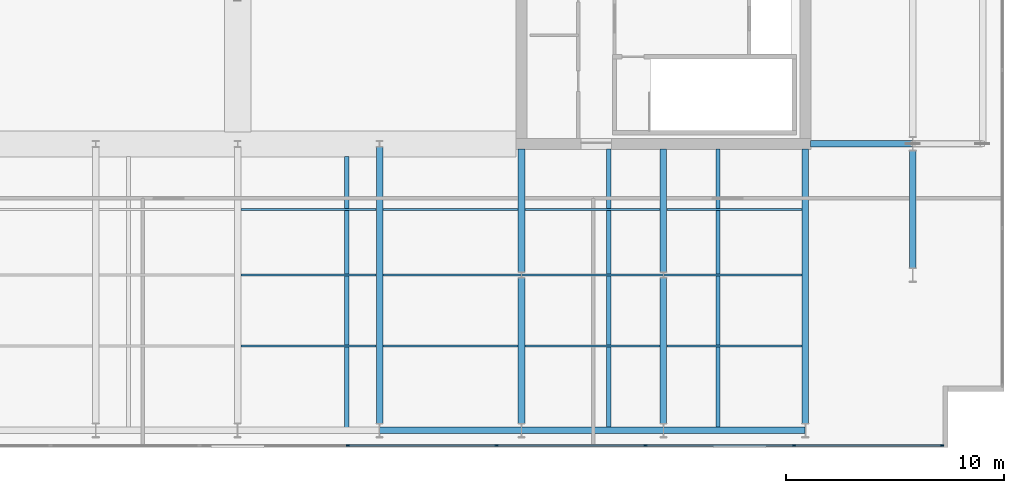
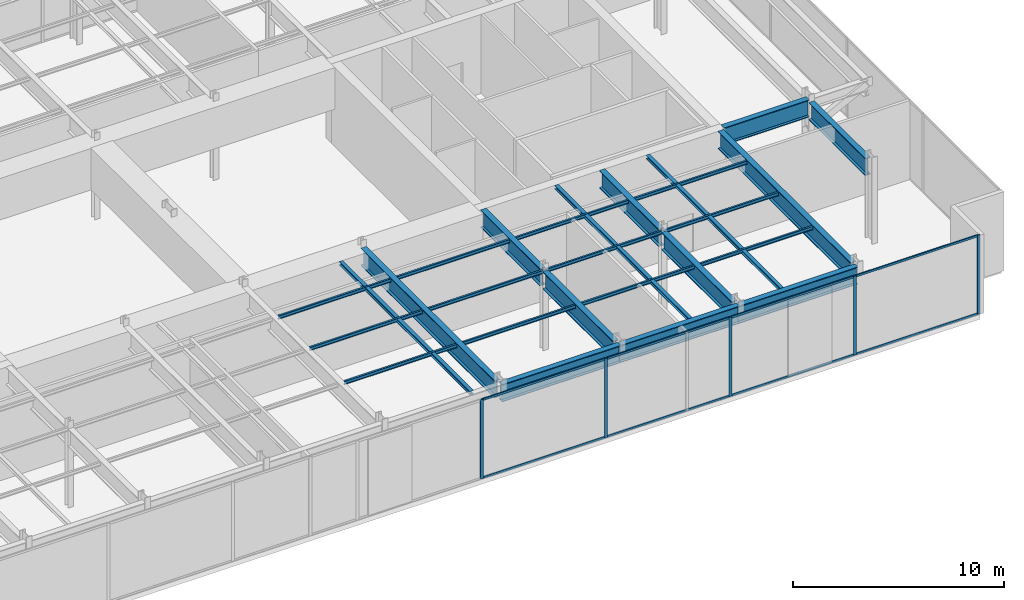
# One storey, part 9 of 21: 23 beams, 16 members, 1 element without a shape of its own.
"""IFC4 building model written with IfcOpenShell, lengths in metres."""

from ifc_helpers import new_model, si_unit, direction, frame, origin, origin_2d, place, context, subcontext, project, spatial, rectangle, i_section, extrude, material, layer, layer_set, material_profile, profile_set, type_object, element, aggregate, save


model = new_model("IFC4")

# Units and contexts
model_context = context("Model", 3, precision=1e-05, world=origin(), true_north=direction((0.0, 1.0)))
body_context = subcontext(model_context, "Body", "Model", "MODEL_VIEW")
ifc_project = project(units=[si_unit("LENGTHUNIT", "METRE"), si_unit("AREAUNIT", "SQUARE_METRE"), si_unit("VOLUMEUNIT", "CUBIC_METRE"), si_unit("PLANEANGLEUNIT", "RADIAN"), si_unit("MASSUNIT", "GRAM", prefix="KILO")], contexts=[model_context])

# Site, building, storey
site_placement = place(None, origin())
site = spatial("IfcSite", under=ifc_project, at=site_placement, CompositionType="ELEMENT")
building_placement = place(site_placement, origin())
building = spatial("IfcBuilding", under=site, at=building_placement, Name="Putna Gate Headquarters", CompositionType="ELEMENT")
storey_placement = place(building_placement, frame((0.0, 0.0, 315.39990234375)))
storey = spatial("IfcBuildingStorey", under=building, at=storey_placement, Name="L79", CompositionType="ELEMENT", Elevation=315.39990234375)

# Beams
ifc_material_1 = material(Name="Steel S355J2", Category="steel")
ifc_material_profile_1 = material_profile(ifc_material_1, i_section(OverallWidth=0.10009765625, OverallDepth=0.199951171875, WebThickness=0.005615234375, FlangeThickness=0.008544921875, at=origin_2d()), Name="Steel S355J2")
ifc_profile_set_1 = profile_set([ifc_material_profile_1], Name="Steel S355J2")
beam_type_1 = type_object("IfcBeamType", Name="BM-SEC-PLT-IPE200", PredefinedType="JOIST", material=ifc_profile_set_1)
for number, where, z_axis, x_axis, name in (
    (1, (39.155029296875, 9.75, 4.47998046875), (1.0, 0.0, 0.0), (0.0, 1.0, 0.0), "L79 South Secondary Beam 5"),
    (2, (39.155029296875, 13.0, 4.47998046875), (1.0, 0.0, 0.0), (0.0, 1.0, 0.0), "L79 South Secondary Beam 5"),
    (3, (39.155029296875, 16.0, 4.47998046875), (1.0, 0.0, 0.0), (0.0, 1.0, 0.0), "L79 South Secondary Beam 5"),
    (4, (45.655029296875, 9.75, 4.47998046875), (1.0, 0.0, 0.0), (0.0, 1.0, 0.0), "L79 South Secondary Beam 6"),
):
    element("IfcBeam", number, at=place(storey_placement, frame(where, z_axis=z_axis, x_axis=x_axis)), inside=storey, type_object=beam_type_1, Name=name, PredefinedType="JOIST", context=body_context, shape_type="SweptSolid", body=[
        extrude(i_section(OverallWidth=0.10009765625, OverallDepth=0.199951171875, WebThickness=0.005615234375, FlangeThickness=0.008544921875, at=origin_2d()), origin(), (0.0, 0.0, 1.0), 6.18994140625),
    ])
beam_1_placement = place(storey_placement, frame((45.655029296875, 13.0, 4.47998046875), z_axis=(1.0, 0.0, 0.0), x_axis=(0.0, 1.0, 0.0)))
element("IfcBeam", 5, at=beam_1_placement, inside=storey, type_object=beam_type_1, Name="L79 South Secondary Beam 6", PredefinedType="JOIST", context=body_context, shape_type="SweptSolid", body=[
    extrude(i_section(OverallWidth=0.10009765625, OverallDepth=0.199951171875, WebThickness=0.005615234375, FlangeThickness=0.008544921875, at=origin_2d()), origin(), (0.0, 0.0, 1.0), 6.3388671875),
])
for number, where, z_axis, x_axis, name in (
    (6, (45.655029296875, 16.0, 4.47998046875), (1.0, 0.0, 0.0), (0.0, 1.0, 0.0), "L79 South Secondary Beam 6"),
    (7, (52.155029296875, 9.75, 4.47998046875), (1.0, 0.0, 0.0), (0.0, 1.0, 0.0), "L79 South Secondary Beam 7"),
):
    element("IfcBeam", number, at=place(storey_placement, frame(where, z_axis=z_axis, x_axis=x_axis)), inside=storey, type_object=beam_type_1, Name=name, PredefinedType="JOIST", context=body_context, shape_type="SweptSolid", body=[
        extrude(i_section(OverallWidth=0.10009765625, OverallDepth=0.199951171875, WebThickness=0.005615234375, FlangeThickness=0.008544921875, at=origin_2d()), origin(), (0.0, 0.0, 1.0), 6.18994140625),
    ])
beam_2_placement = place(storey_placement, frame((52.006103515625, 13.0, 4.47998046875), z_axis=(1.0, 0.0, 0.0), x_axis=(0.0, 1.0, 0.0)))
element("IfcBeam", 8, at=beam_2_placement, inside=storey, type_object=beam_type_1, Name="L79 South Secondary Beam 7", PredefinedType="JOIST", context=body_context, shape_type="SweptSolid", body=[
    extrude(i_section(OverallWidth=0.10009765625, OverallDepth=0.199951171875, WebThickness=0.005615234375, FlangeThickness=0.008544921875, at=origin_2d()), origin(), (0.0, 0.0, 1.0), 6.48779296875),
])
for number, where, z_axis, x_axis, name in (
    (9, (52.155029296875, 16.0, 4.47998046875), (1.0, 0.0, 0.0), (0.0, 1.0, 0.0), "L79 South Secondary Beam 7"),
    (10, (58.655029296875, 9.75, 4.47998046875), (1.0, 0.0, 0.0), (0.0, 1.0, 0.0), "L79 South Secondary Beam 8"),
):
    element("IfcBeam", number, at=place(storey_placement, frame(where, z_axis=z_axis, x_axis=x_axis)), inside=storey, type_object=beam_type_1, Name=name, PredefinedType="JOIST", context=body_context, shape_type="SweptSolid", body=[
        extrude(i_section(OverallWidth=0.10009765625, OverallDepth=0.199951171875, WebThickness=0.005615234375, FlangeThickness=0.008544921875, at=origin_2d()), origin(), (0.0, 0.0, 1.0), 6.18994140625),
    ])
beam_3_placement = place(storey_placement, frame((58.506103515625, 13.0, 4.47998046875), z_axis=(1.0, 0.0, 0.0), x_axis=(0.0, 1.0, 0.0)))
element("IfcBeam", 11, at=beam_3_placement, inside=storey, type_object=beam_type_1, Name="L79 South Secondary Beam 8", PredefinedType="JOIST", context=body_context, shape_type="SweptSolid", body=[
    extrude(i_section(OverallWidth=0.10009765625, OverallDepth=0.199951171875, WebThickness=0.005615234375, FlangeThickness=0.008544921875, at=origin_2d()), origin(), (0.0, 0.0, 1.0), 6.3388671875),
])
beam_4_placement = place(storey_placement, frame((58.655029296875, 16.0, 4.47998046875), z_axis=(1.0, 0.0, 0.0), x_axis=(0.0, 1.0, 0.0)))
element("IfcBeam", 12, at=beam_4_placement, inside=storey, type_object=beam_type_1, Name="L79 South Secondary Beam 8", PredefinedType="JOIST", context=body_context, shape_type="SweptSolid", body=[
    extrude(i_section(OverallWidth=0.10009765625, OverallDepth=0.199951171875, WebThickness=0.005615234375, FlangeThickness=0.008544921875, at=origin_2d()), origin(), (0.0, 0.0, 1.0), 6.18994140625),
])
ifc_material_2 = material(Name="Steel S460M", Category="steel")
ifc_material_profile_2 = material_profile(ifc_material_2, i_section(OverallWidth=0.302001953125, OverallDepth=1.008056640625, WebThickness=0.02099609375, FlangeThickness=0.0400390625, at=origin_2d()), Name="Steel S460M")
ifc_profile_set_2 = profile_set([ifc_material_profile_2], Name="Steel S460M")
beam_type_2 = type_object("IfcBeamType", Name="BM-TG-HEM1000", PredefinedType="USERDEFINED", material=ifc_profile_set_2)
beam_5_placement = place(storey_placement, frame((65.235107421875, 19.0, 4.076171875), z_axis=(1.0, 0.0, 0.0), x_axis=(0.0, 1.0, 0.0)))
element("IfcBeam", 13, at=beam_5_placement, inside=storey, type_object=beam_type_2, Name="L79 East Wing Girder Y19", ObjectType="GIRDER", PredefinedType="USERDEFINED", context=body_context, shape_type="SweptSolid", body=[
    extrude(i_section(OverallWidth=0.302001953125, OverallDepth=1.008056640625, WebThickness=0.02099609375, FlangeThickness=0.0400390625, at=origin_2d()), origin(), (0.0, 0.0, 1.0), 4.678955078125),
])
beam_6_placement = place(storey_placement, frame((45.5, 6.201904296875, 4.076171875), z_axis=(0.0, 1.0, 0.0), x_axis=(-1.0, 0.0, 0.0)))
element("IfcBeam", 14, at=beam_6_placement, inside=storey, type_object=beam_type_2, Name="L79 South Primary Girder X45", ObjectType="GIRDER", PredefinedType="USERDEFINED", context=body_context, shape_type="SweptSolid", body=[
    extrude(i_section(OverallWidth=0.302001953125, OverallDepth=1.008056640625, WebThickness=0.02099609375, FlangeThickness=0.0400390625, at=origin_2d()), origin(), (0.0, 0.0, 1.0), 12.66015625),
])
beam_7_placement = place(storey_placement, frame((52.0, 6.201904296875, 4.076171875), z_axis=(0.0, 1.0, 0.0), x_axis=(-1.0, 0.0, 0.0)))
element("IfcBeam", 15, at=beam_7_placement, inside=storey, type_object=beam_type_2, Name="L79 South Primary Girder X52-1", ObjectType="GIRDER", PredefinedType="USERDEFINED", context=body_context, shape_type="SweptSolid", body=[
    extrude(i_section(OverallWidth=0.302001953125, OverallDepth=1.008056640625, WebThickness=0.02099609375, FlangeThickness=0.0400390625, at=origin_2d()), origin(), (0.0, 0.0, 1.0), 6.66015625),
])
beam_8_placement = place(storey_placement, frame((52.0, 13.137939453125, 4.076171875), z_axis=(0.0, 1.0, 0.0), x_axis=(-1.0, 0.0, 0.0)))
element("IfcBeam", 16, at=beam_8_placement, inside=storey, type_object=beam_type_2, Name="L79 South Primary Girder X52-2", ObjectType="GIRDER", PredefinedType="USERDEFINED", context=body_context, shape_type="SweptSolid", body=[
    extrude(i_section(OverallWidth=0.302001953125, OverallDepth=1.008056640625, WebThickness=0.02099609375, FlangeThickness=0.0400390625, at=origin_2d()), origin(), (0.0, 0.0, 1.0), 5.626953125),
])
beam_9_placement = place(storey_placement, frame((58.5, 6.201904296875, 4.076171875), z_axis=(0.0, 1.0, 0.0), x_axis=(-1.0, 0.0, 0.0)))
element("IfcBeam", 17, at=beam_9_placement, inside=storey, type_object=beam_type_2, Name="L79 South Primary Girder X58-1", ObjectType="GIRDER", PredefinedType="USERDEFINED", context=body_context, shape_type="SweptSolid", body=[
    extrude(i_section(OverallWidth=0.302001953125, OverallDepth=1.008056640625, WebThickness=0.02099609375, FlangeThickness=0.0400390625, at=origin_2d()), origin(), (0.0, 0.0, 1.0), 6.66015625),
])
beam_10_placement = place(storey_placement, frame((58.5, 13.137939453125, 4.076171875), z_axis=(0.0, 1.0, 0.0), x_axis=(-1.0, 0.0, 0.0)))
element("IfcBeam", 18, at=beam_10_placement, inside=storey, type_object=beam_type_2, Name="L79 South Primary Girder X58-2", ObjectType="GIRDER", PredefinedType="USERDEFINED", context=body_context, shape_type="SweptSolid", body=[
    extrude(i_section(OverallWidth=0.302001953125, OverallDepth=1.008056640625, WebThickness=0.02099609375, FlangeThickness=0.0400390625, at=origin_2d()), origin(), (0.0, 0.0, 1.0), 5.626953125),
])
beam_11_placement = place(storey_placement, frame((65.0, 6.201904296875, 4.076171875), z_axis=(0.0, 1.0, 0.0), x_axis=(-1.0, 0.0, 0.0)))
element("IfcBeam", 19, at=beam_11_placement, inside=storey, type_object=beam_type_2, Name="L79 South Primary Girder X65", ObjectType="GIRDER", PredefinedType="USERDEFINED", context=body_context, shape_type="SweptSolid", body=[
    extrude(i_section(OverallWidth=0.302001953125, OverallDepth=1.008056640625, WebThickness=0.02099609375, FlangeThickness=0.0400390625, at=origin_2d()), origin(), (0.0, 0.0, 1.0), 12.56298828125),
])
ifc_material_profile_3 = material_profile(ifc_material_2, i_section(OverallWidth=0.302001953125, OverallDepth=1.008056640625, WebThickness=0.02099609375, FlangeThickness=0.0400390625, at=origin_2d()), Name="Steel S460M")
ifc_profile_set_3 = profile_set([ifc_material_profile_3], Name="Steel S460M")
beam_type_3 = type_object("IfcBeamType", Name="BM-TG-HEM1000-EXT", PredefinedType="USERDEFINED", material=ifc_profile_set_3)
for number, where, z_axis, x_axis, name in (
    (20, (45.506103515625, 5.8798828125, 4.076171875), (1.0, 0.0, 0.0), (0.0, 1.0, 0.0), "L79 S Perimeter Spandrel 6"),
    (21, (52.006103515625, 5.8798828125, 4.076171875), (1.0, 0.0, 0.0), (0.0, 1.0, 0.0), "L79 S Perimeter Spandrel 7"),
    (22, (58.506103515625, 5.8798828125, 4.076171875), (1.0, 0.0, 0.0), (0.0, 1.0, 0.0), "L79 S Perimeter Spandrel 8"),
):
    element("IfcBeam", number, at=place(storey_placement, frame(where, z_axis=z_axis, x_axis=x_axis)), inside=storey, type_object=beam_type_3, Name=name, ObjectType="GIRDER", PredefinedType="USERDEFINED", context=body_context, shape_type="SweptSolid", body=[
        extrude(i_section(OverallWidth=0.302001953125, OverallDepth=1.008056640625, WebThickness=0.02099609375, FlangeThickness=0.0400390625, at=origin_2d()), origin(), (0.0, 0.0, 1.0), 6.48779296875),
    ])
beam_12_placement = place(storey_placement, frame((69.919921875, 13.322021484375, 4.076171875), z_axis=(0.0, 1.0, 0.0), x_axis=(-1.0, 0.0, 0.0)))
element("IfcBeam", 23, at=beam_12_placement, inside=storey, type_object=beam_type_3, Name="L79 E End Spandrel 1", ObjectType="GIRDER", PredefinedType="USERDEFINED", context=body_context, shape_type="SweptSolid", body=[
    extrude(i_section(OverallWidth=0.302001953125, OverallDepth=1.008056640625, WebThickness=0.02099609375, FlangeThickness=0.0400390625, at=origin_2d()), origin(), (0.0, 0.0, 1.0), 5.35595703125),
])

# Members
ifc_material_profile_4 = material_profile(ifc_material_1, i_section(OverallWidth=0.199951171875, OverallDepth=0.199951171875, WebThickness=0.009033203125, FlangeThickness=0.014892578125, at=origin_2d()), Name="Steel S355J2")
ifc_profile_set_4 = profile_set([ifc_material_profile_4], Name="Steel S355J2")
member_type_1 = type_object("IfcMemberType", Name="MEM-ROOF-PURLIN-HEB200", PredefinedType="PURLIN", material=ifc_profile_set_4)
member_1_placement = place(storey_placement, frame((44.0, 6.0, 4.47998046875), z_axis=(0.0, 1.0, 0.0), x_axis=(-1.0, 0.0, 0.0)))
element("IfcMember", 24, at=member_1_placement, inside=storey, type_object=member_type_1, Name="Crown Roof South Purlin RP-1 4", PredefinedType="PURLIN", context=body_context, shape_type="SweptSolid", body=[
    extrude(i_section(OverallWidth=0.199951171875, OverallDepth=0.199951171875, WebThickness=0.009033203125, FlangeThickness=0.014892578125, at=origin_2d()), origin(), (0.0, 0.0, 1.0), 12.419921875),
])
for number, where, z_axis, x_axis, name in (
    (25, (56.0, 6.0, 4.47998046875), (0.0, 1.0, 0.0), (-1.0, 0.0, 0.0), "Crown Roof South Purlin RP-1 5"),
    (26, (61.0, 6.0, 4.47998046875), (0.0, 1.0, 0.0), (-1.0, 0.0, 0.0), "Crown Roof South Purlin RP-1 6"),
):
    element("IfcMember", number, at=place(storey_placement, frame(where, z_axis=z_axis, x_axis=x_axis)), inside=storey, type_object=member_type_1, Name=name, PredefinedType="PURLIN", context=body_context, shape_type="SweptSolid", body=[
        extrude(i_section(OverallWidth=0.199951171875, OverallDepth=0.199951171875, WebThickness=0.009033203125, FlangeThickness=0.014892578125, at=origin_2d()), origin(), (0.0, 0.0, 1.0), 12.760009765625),
    ])

# Curtain wall, members
ifc_material_3 = material(Name="Anodised bronze aluminium curtain wall", Category="aluminium")
ifc_layer = layer(ifc_material_3, 0.159912109375)
ifc_layer_set = layer_set([ifc_layer], Name="Anodised bronze aluminium curtain wall")
curtain_wall_type = type_object("IfcCurtainWallType", Name="CW-SYS-CRN", PredefinedType="USERDEFINED", material=ifc_layer_set)
curtain_wall_placement = place(storey_placement, origin())
curtain_wall = element("IfcCurtainWall", 27, at=curtain_wall_placement, inside=storey, type_object=curtain_wall_type, Name="L79 Acoustic Louvre South Enclosure", ObjectType="STICK CURTAIN WALL", PredefinedType="USERDEFINED")
ifc_material_4 = material(Name="Anodised bronze aluminium EN AW-6060", Category="aluminium")
ifc_material_profile_5 = material_profile(ifc_material_4, rectangle(XDim=0.06494140625, YDim=0.159912109375, at=origin_2d()), Name="Anodised bronze aluminium EN AW-6060")
ifc_profile_set_5 = profile_set([ifc_material_profile_5], Name="Anodised bronze aluminium EN AW-6060")
member_type_2 = type_object("IfcMemberType", Name="MULL-CWM-CR", PredefinedType="MULLION", material=ifc_profile_set_5)
member_2_placement = place(storey_placement, frame((44.0556640625, 5.179931640625, 0.0), z_axis=(0.0, 0.0, 1.0), x_axis=(0.0, 1.0, 0.0)))
member_2 = element("IfcMember", 28, at=member_2_placement, type_object=member_type_2, Name="CWS-CR mullion 6", PredefinedType="MULLION", context=body_context, shape_type="SweptSolid", body=[
    extrude(rectangle(XDim=0.06494140625, YDim=0.159912109375, at=origin_2d()), origin(), (0.0, 0.0, 1.0), 4.580078125),
])
member_3_placement = place(storey_placement, frame((50.86669921875, 5.179931640625, 0.0), z_axis=(0.0, 0.0, 1.0), x_axis=(0.0, 1.0, 0.0)))
member_3 = element("IfcMember", 29, at=member_3_placement, type_object=member_type_2, Name="CWS-CR mullion 7", PredefinedType="MULLION", context=body_context, shape_type="SweptSolid", body=[
    extrude(rectangle(XDim=0.06494140625, YDim=0.159912109375, at=origin_2d()), origin(), (0.0, 0.0, 1.0), 4.580078125),
])
member_4_placement = place(storey_placement, frame((57.677734375, 5.179931640625, 0.0), z_axis=(0.0, 0.0, 1.0), x_axis=(0.0, 1.0, 0.0)))
member_4 = element("IfcMember", 30, at=member_4_placement, type_object=member_type_2, Name="CWS-CR mullion 8", PredefinedType="MULLION", context=body_context, shape_type="SweptSolid", body=[
    extrude(rectangle(XDim=0.06494140625, YDim=0.159912109375, at=origin_2d()), origin(), (0.0, 0.0, 1.0), 4.580078125),
])
member_5_placement = place(storey_placement, frame((64.48876953125, 5.179931640625, 0.0), z_axis=(0.0, 0.0, 1.0), x_axis=(0.0, 1.0, 0.0)))
member_5 = element("IfcMember", 31, at=member_5_placement, type_object=member_type_2, Name="CWS-CR mullion 9", PredefinedType="MULLION", context=body_context, shape_type="SweptSolid", body=[
    extrude(rectangle(XDim=0.06494140625, YDim=0.159912109375, at=origin_2d()), origin(), (0.0, 0.0, 1.0), 4.580078125),
])
member_6_placement = place(storey_placement, frame((71.267578125, 5.179931640625, 0.0), z_axis=(0.0, 0.0, 1.0), x_axis=(0.0, 1.0, 0.0)))
member_6 = element("IfcMember", 32, at=member_6_placement, type_object=member_type_2, Name="CWS-CR mullion 10", PredefinedType="MULLION", context=body_context, shape_type="SweptSolid", body=[
    extrude(rectangle(XDim=0.06494140625, YDim=0.159912109375, at=origin_2d()), origin(), (0.0, 0.0, 1.0), 4.580078125),
])
ifc_material_profile_6 = material_profile(ifc_material_4, rectangle(XDim=0.06494140625, YDim=0.1201171875, at=origin_2d()), Name="Anodised bronze aluminium EN AW-6060")
ifc_profile_set_6 = profile_set([ifc_material_profile_6], Name="Anodised bronze aluminium EN AW-6060")
member_type_3 = type_object("IfcMemberType", Name="TRAN-CWT-CR", PredefinedType="USERDEFINED", material=ifc_profile_set_6)
member_7_placement = place(storey_placement, frame((44.088134765625, 5.179931640625, 0.03271484375), z_axis=(1.0, 0.0, 0.0), x_axis=(0.0, 1.0, 0.0)))
member_7 = element("IfcMember", 33, at=member_7_placement, type_object=member_type_3, Name="CWS-CR transom 6.1", ObjectType="TRANSOM", PredefinedType="USERDEFINED", context=body_context, shape_type="SweptSolid", body=[
    extrude(rectangle(XDim=0.06494140625, YDim=0.1201171875, at=origin_2d()), origin(), (0.0, 0.0, 1.0), 6.74609375),
])
member_8_placement = place(storey_placement, frame((44.088134765625, 5.179931640625, 4.547607421875), z_axis=(1.0, 0.0, 0.0), x_axis=(0.0, 1.0, 0.0)))
member_8 = element("IfcMember", 34, at=member_8_placement, type_object=member_type_3, Name="CWS-CR transom 6.2", ObjectType="TRANSOM", PredefinedType="USERDEFINED", context=body_context, shape_type="SweptSolid", body=[
    extrude(rectangle(XDim=0.06494140625, YDim=0.1201171875, at=origin_2d()), origin(), (0.0, 0.0, 1.0), 6.74609375),
])
member_9_placement = place(storey_placement, frame((50.899169921875, 5.179931640625, 0.03271484375), z_axis=(1.0, 0.0, 0.0), x_axis=(0.0, 1.0, 0.0)))
member_9 = element("IfcMember", 35, at=member_9_placement, type_object=member_type_3, Name="CWS-CR transom 7.1", ObjectType="TRANSOM", PredefinedType="USERDEFINED", context=body_context, shape_type="SweptSolid", body=[
    extrude(rectangle(XDim=0.06494140625, YDim=0.1201171875, at=origin_2d()), origin(), (0.0, 0.0, 1.0), 6.74609375),
])
member_10_placement = place(storey_placement, frame((50.899169921875, 5.179931640625, 4.547607421875), z_axis=(1.0, 0.0, 0.0), x_axis=(0.0, 1.0, 0.0)))
member_10 = element("IfcMember", 36, at=member_10_placement, type_object=member_type_3, Name="CWS-CR transom 7.2", ObjectType="TRANSOM", PredefinedType="USERDEFINED", context=body_context, shape_type="SweptSolid", body=[
    extrude(rectangle(XDim=0.06494140625, YDim=0.1201171875, at=origin_2d()), origin(), (0.0, 0.0, 1.0), 6.74609375),
])
member_11_placement = place(storey_placement, frame((57.710205078125, 5.179931640625, 0.03271484375), z_axis=(1.0, 0.0, 0.0), x_axis=(0.0, 1.0, 0.0)))
member_11 = element("IfcMember", 37, at=member_11_placement, type_object=member_type_3, Name="CWS-CR transom 8.1", ObjectType="TRANSOM", PredefinedType="USERDEFINED", context=body_context, shape_type="SweptSolid", body=[
    extrude(rectangle(XDim=0.06494140625, YDim=0.1201171875, at=origin_2d()), origin(), (0.0, 0.0, 1.0), 6.74609375),
])
member_12_placement = place(storey_placement, frame((57.710205078125, 5.179931640625, 4.547607421875), z_axis=(1.0, 0.0, 0.0), x_axis=(0.0, 1.0, 0.0)))
member_12 = element("IfcMember", 38, at=member_12_placement, type_object=member_type_3, Name="CWS-CR transom 8.2", ObjectType="TRANSOM", PredefinedType="USERDEFINED", context=body_context, shape_type="SweptSolid", body=[
    extrude(rectangle(XDim=0.06494140625, YDim=0.1201171875, at=origin_2d()), origin(), (0.0, 0.0, 1.0), 6.74609375),
])
member_13_placement = place(storey_placement, frame((64.521484375, 5.179931640625, 0.03271484375), z_axis=(1.0, 0.0, 0.0), x_axis=(0.0, 1.0, 0.0)))
member_13 = element("IfcMember", 39, at=member_13_placement, type_object=member_type_3, Name="CWS-CR transom 9.1", ObjectType="TRANSOM", PredefinedType="USERDEFINED", context=body_context, shape_type="SweptSolid", body=[
    extrude(rectangle(XDim=0.06494140625, YDim=0.1201171875, at=origin_2d()), origin(), (0.0, 0.0, 1.0), 6.713623046875),
])
member_14_placement = place(storey_placement, frame((64.521484375, 5.179931640625, 4.547607421875), z_axis=(1.0, 0.0, 0.0), x_axis=(0.0, 1.0, 0.0)))
member_14 = element("IfcMember", 40, at=member_14_placement, type_object=member_type_3, Name="CWS-CR transom 9.2", ObjectType="TRANSOM", PredefinedType="USERDEFINED", context=body_context, shape_type="SweptSolid", body=[
    extrude(rectangle(XDim=0.06494140625, YDim=0.1201171875, at=origin_2d()), origin(), (0.0, 0.0, 1.0), 6.713623046875),
])
aggregate(curtain_wall, [member_2, member_3, member_4, member_5, member_6, member_7, member_8, member_9, member_10, member_11, member_12, member_13, member_14])

save(model, "model.ifc")
